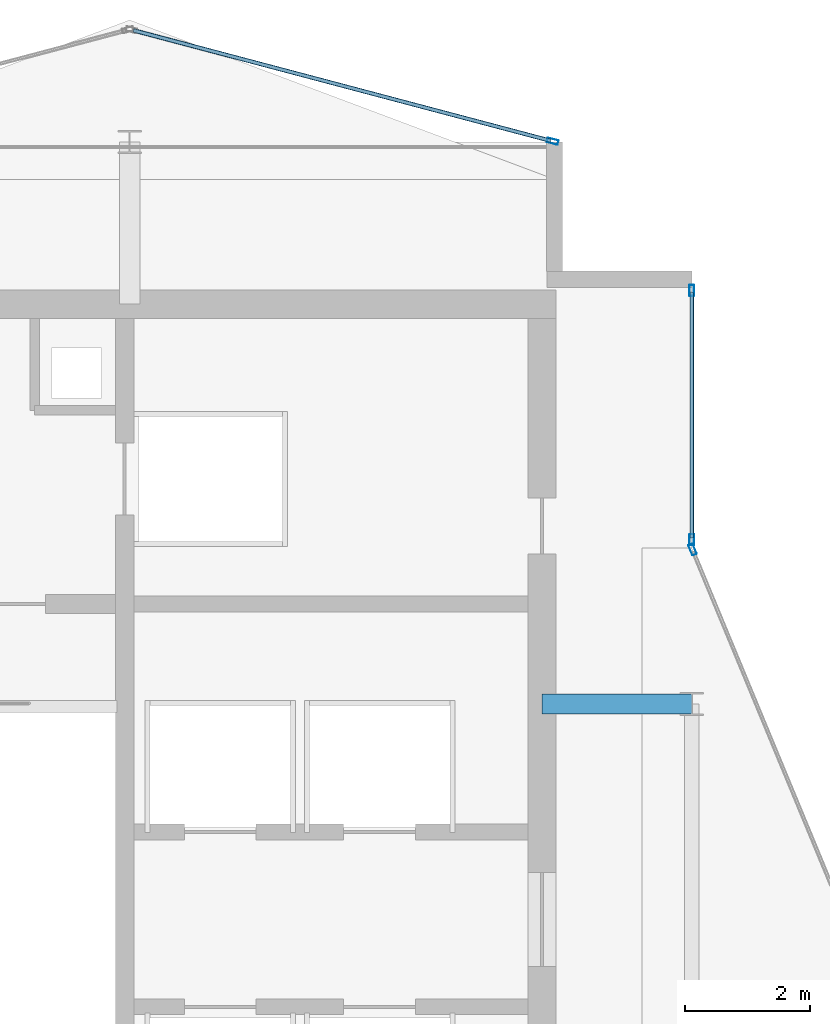
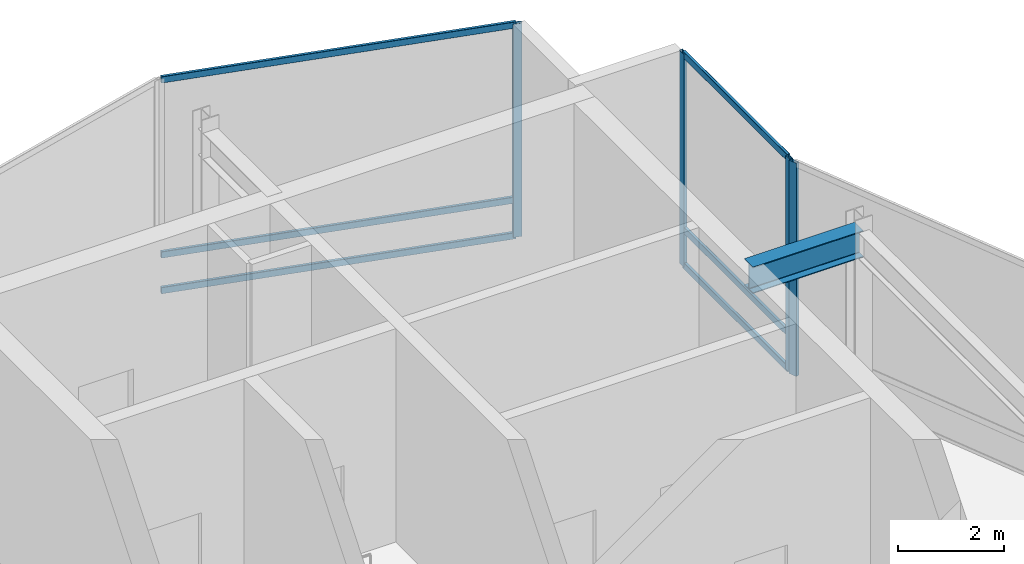
# One storey, part 14 of 19: 10 members, 1 beam, 3 elements without a shape of their own.
"""IFC4 building model written with IfcOpenShell, lengths in metres."""

from ifc_helpers import new_model, si_unit, direction, frame, origin, origin_2d, place, context, subcontext, project, spatial, hollow_rectangle, i_section, extrude, material, layer, layer_set, material_profile, profile_set, type_object, element, aggregate, save


model = new_model("IFC4")

# Units and contexts
model_context = context("Model", 3, precision=1e-05, world=origin(), true_north=direction((0.0, 1.0)))
body_context = subcontext(model_context, "Body", "Model", "MODEL_VIEW")
ifc_project = project(units=[si_unit("LENGTHUNIT", "METRE"), si_unit("AREAUNIT", "SQUARE_METRE"), si_unit("VOLUMEUNIT", "CUBIC_METRE"), si_unit("PLANEANGLEUNIT", "RADIAN"), si_unit("MASSUNIT", "GRAM", prefix="KILO")], contexts=[model_context])

# Site, building, storey
site_placement = place(None, origin())
site = spatial("IfcSite", under=ifc_project, at=site_placement, CompositionType="ELEMENT")
building_placement = place(site_placement, origin())
building = spatial("IfcBuilding", under=site, at=building_placement, Name="Solvaryn Broadcast Tower", CompositionType="ELEMENT")
storey_placement = place(building_placement, frame((0.0, 0.0, 302.60009765625)))
storey = spatial("IfcBuildingStorey", under=building, at=storey_placement, Name="L76", CompositionType="ELEMENT", Elevation=302.60009765625)

# Beam
ifc_material_1 = material(Name="Steel ASTM A992 Grade 50", Category="steel")
ifc_material_profile_1 = material_profile(ifc_material_1, i_section(OverallWidth=0.323974609375, OverallDepth=0.611083984375, WebThickness=0.0126953125, FlangeThickness=0.01904296875, FilletRadius=0.014892578125, at=origin_2d()))
ifc_profile_set_1 = profile_set([ifc_material_profile_1], Name="Steel ASTM A992 Grade 50")
beam_type = type_object("IfcBeamType", Name="BM-B1-W24X104", PredefinedType="BEAM", material=ifc_profile_set_1)
beam_placement = place(storey_placement, frame((24.60009765625, 36.0, 4.594482421875), z_axis=(1.0, 0.0, 0.0), x_axis=(0.0, 1.0, 0.0)))
element("IfcBeam", 1, at=beam_placement, inside=storey, type_object=beam_type, Name="L76 Core Tie Beam CTW2", PredefinedType="BEAM", context=body_context, shape_type="SweptSolid", body=[
    extrude(i_section(OverallWidth=0.323974609375, OverallDepth=0.611083984375, WebThickness=0.0126953125, FlangeThickness=0.01904296875, FilletRadius=0.014892578125, at=origin_2d()), origin(), (0.0, 0.0, 1.0), 2.39990234375),
])

# Curtain wall, members
ifc_material_2 = material(Name="Aluminium and Terracotta Unitised Curtain Wall", Category="masonry")
ifc_layer = layer(ifc_material_2, 0.260009765625)
ifc_layer_set = layer_set([ifc_layer], Name="CW-SYS5-DAMPER")
curtain_wall_type = type_object("IfcCurtainWallType", Name="CW-SYS5-DAMPER", PredefinedType="NOTDEFINED", material=ifc_layer_set)
curtain_wall_1_placement = place(storey_placement, origin())
curtain_wall_1 = element("IfcCurtainWall", 2, at=curtain_wall_1_placement, inside=storey, type_object=curtain_wall_type, Name="L76 Curtain Wall IV", PredefinedType="NOTDEFINED")
ifc_material_3 = material(Name="Anodised Aluminium 6063-T6", Category="aluminium")
ifc_material_profile_2 = material_profile(ifc_material_3, hollow_rectangle(XDim=0.074951171875, YDim=0.179931640625, WallThickness=0.00390625, InnerFilletRadius=0.00390625, OuterFilletRadius=0.008056640625, at=origin_2d()))
ifc_profile_set_2 = profile_set([ifc_material_profile_2], Name="Anodised Aluminium 6063-T6")
member_type_1 = type_object("IfcMemberType", Name="CW-MUL-180", PredefinedType="MULLION", material=ifc_profile_set_2)
member_1_placement = place(storey_placement, frame((27.0, 42.6201171875, 0.0), z_axis=(0.0, 0.0, 1.0), x_axis=(1.0, 0.0, 0.0)))
member_1 = element("IfcMember", 3, at=member_1_placement, type_object=member_type_1, Name="CWS5 mullion 1", PredefinedType="MULLION", context=body_context, shape_type="SweptSolid", body=[
    extrude(hollow_rectangle(XDim=0.074951171875, YDim=0.179931640625, WallThickness=0.00390625, InnerFilletRadius=0.00390625, OuterFilletRadius=0.008056640625, at=origin_2d()), origin(), (0.0, 0.0, 1.0), 4.89990234375),
])
member_2_placement = place(storey_placement, frame((27.0, 38.6298828125, 0.0), z_axis=(0.0, 0.0, 1.0), x_axis=(1.0, 0.0, 0.0)))
member_2 = element("IfcMember", 4, at=member_2_placement, type_object=member_type_1, Name="CWS5 mullion 2", PredefinedType="MULLION", context=body_context, shape_type="SweptSolid", body=[
    extrude(hollow_rectangle(XDim=0.074951171875, YDim=0.179931640625, WallThickness=0.00390625, InnerFilletRadius=0.00390625, OuterFilletRadius=0.008056640625, at=origin_2d()), origin(), (0.0, 0.0, 1.0), 4.89990234375),
])

# Curtain wall, member
curtain_wall_2_placement = place(storey_placement, origin())
curtain_wall_2 = element("IfcCurtainWall", 5, at=curtain_wall_2_placement, inside=storey, type_object=curtain_wall_type, Name="L76 Curtain Wall CN2", PredefinedType="NOTDEFINED")
member_3_placement = place(storey_placement, frame((27.011474609375, 38.47216796875, 0.0), z_axis=(0.0, 0.0, 1.0), x_axis=(-0.923894983957, -0.382646127145, 0.0)))
member_3 = element("IfcMember", 6, at=member_3_placement, type_object=member_type_1, Name="CWS5 mullion 2", PredefinedType="MULLION", context=body_context, shape_type="SweptSolid", body=[
    extrude(hollow_rectangle(XDim=0.074951171875, YDim=0.179931640625, WallThickness=0.00390625, InnerFilletRadius=0.00390625, OuterFilletRadius=0.008056640625, at=origin_2d()), origin(), (0.0, 0.0, 1.0), 4.89990234375),
])
aggregate(curtain_wall_2, [member_3])

curtain_wall_3_placement = place(storey_placement, origin())
curtain_wall_3 = element("IfcCurtainWall", 7, at=curtain_wall_3_placement, inside=storey, type_object=curtain_wall_type, Name="L76 Curtain Wall NT1", PredefinedType="NOTDEFINED")
member_4_placement = place(storey_placement, frame((24.77099609375, 45.007568359375, 0.0), z_axis=(0.0, 0.0, 1.0), x_axis=(-0.25589256031, -0.966705227863, 0.0)))
member_4 = element("IfcMember", 8, at=member_4_placement, type_object=member_type_1, Name="CWS5 mullion 1", PredefinedType="MULLION", context=body_context, shape_type="SweptSolid", body=[
    extrude(hollow_rectangle(XDim=0.074951171875, YDim=0.179931640625, WallThickness=0.00390625, InnerFilletRadius=0.00390625, OuterFilletRadius=0.008056640625, at=origin_2d()), origin(), (0.0, 0.0, 1.0), 4.89990234375),
])

# Member
ifc_material_4 = material(Name="Anodised Aluminium 6063-T6", Category="aluminium")
ifc_material_profile_3 = material_profile(ifc_material_4, hollow_rectangle(XDim=0.06494140625, YDim=0.14990234375, WallThickness=0.00390625, InnerFilletRadius=0.00390625, OuterFilletRadius=0.008056640625, at=origin_2d()))
ifc_profile_set_3 = profile_set([ifc_material_profile_3], Name="Anodised Aluminium 6063-T6")
member_type_2 = type_object("IfcMemberType", Name="CW-TRN-150", PredefinedType="USERDEFINED", material=ifc_profile_set_3)
member_5_placement = place(storey_placement, frame((27.0, 42.590087890625, 0.02978515625), z_axis=(0.0, -1.0, 0.0), x_axis=(1.0, 0.0, 0.0)))
member_5 = element("IfcMember", 9, at=member_5_placement, type_object=member_type_2, Name="CWS5 transom 1.1", ObjectType="TRANSOM", PredefinedType="USERDEFINED", context=body_context, shape_type="SweptSolid", body=[
    extrude(hollow_rectangle(XDim=0.06494140625, YDim=0.14990234375, WallThickness=0.00390625, InnerFilletRadius=0.00390625, OuterFilletRadius=0.008056640625, at=origin_2d()), origin(), (0.0, 0.0, 1.0), 3.93017578125),
])

member_6_placement = place(storey_placement, frame((27.0, 42.590087890625, 0.849853515625), z_axis=(0.0, -1.0, 0.0), x_axis=(1.0, 0.0, 0.0)))
member_6 = element("IfcMember", 10, at=member_6_placement, type_object=member_type_2, Name="CWS5 transom 1.2", ObjectType="TRANSOM", PredefinedType="USERDEFINED", context=body_context, shape_type="SweptSolid", body=[
    extrude(hollow_rectangle(XDim=0.06494140625, YDim=0.14990234375, WallThickness=0.00390625, InnerFilletRadius=0.00390625, OuterFilletRadius=0.008056640625, at=origin_2d()), origin(), (0.0, 0.0, 1.0), 3.93017578125),
])

member_7_placement = place(storey_placement, frame((27.0, 42.590087890625, 4.869873046875), z_axis=(0.0, -1.0, 0.0), x_axis=(1.0, 0.0, 0.0)))
member_7 = element("IfcMember", 11, at=member_7_placement, type_object=member_type_2, Name="CWS5 transom 1.3", ObjectType="TRANSOM", PredefinedType="USERDEFINED", context=body_context, shape_type="SweptSolid", body=[
    extrude(hollow_rectangle(XDim=0.06494140625, YDim=0.14990234375, WallThickness=0.00390625, InnerFilletRadius=0.00390625, OuterFilletRadius=0.008056640625, at=origin_2d()), origin(), (0.0, 0.0, 1.0), 3.93017578125),
])

aggregate(curtain_wall_1, [member_1, member_2, member_5, member_6, member_7])

member_8_placement = place(storey_placement, frame((24.741943359375, 45.015380859375, 0.02978515625), z_axis=(-0.966703943301, 0.255897413051, 0.0), x_axis=(-0.255897413051, -0.966703943301, 0.0)))
member_8 = element("IfcMember", 12, at=member_8_placement, type_object=member_type_2, Name="CWS5 transom 1.1", ObjectType="TRANSOM", PredefinedType="USERDEFINED", context=body_context, shape_type="SweptSolid", body=[
    extrude(hollow_rectangle(XDim=0.06494140625, YDim=0.14990234375, WallThickness=0.00390625, InnerFilletRadius=0.00390625, OuterFilletRadius=0.008056640625, at=origin_2d()), origin(), (0.0, 0.0, 1.0), 6.9140625),
])

member_9_placement = place(storey_placement, frame((24.741943359375, 45.015380859375, 0.849853515625), z_axis=(-0.966703943301, 0.255897413051, 0.0), x_axis=(-0.255897413051, -0.966703943301, 0.0)))
member_9 = element("IfcMember", 13, at=member_9_placement, type_object=member_type_2, Name="CWS5 transom 1.2", ObjectType="TRANSOM", PredefinedType="USERDEFINED", context=body_context, shape_type="SweptSolid", body=[
    extrude(hollow_rectangle(XDim=0.06494140625, YDim=0.14990234375, WallThickness=0.00390625, InnerFilletRadius=0.00390625, OuterFilletRadius=0.008056640625, at=origin_2d()), origin(), (0.0, 0.0, 1.0), 6.9140625),
])

member_10_placement = place(storey_placement, frame((24.741943359375, 45.015380859375, 4.869873046875), z_axis=(-0.966703943301, 0.255897413051, 0.0), x_axis=(-0.255897413051, -0.966703943301, 0.0)))
member_10 = element("IfcMember", 14, at=member_10_placement, type_object=member_type_2, Name="CWS5 transom 1.3", ObjectType="TRANSOM", PredefinedType="USERDEFINED", context=body_context, shape_type="SweptSolid", body=[
    extrude(hollow_rectangle(XDim=0.06494140625, YDim=0.14990234375, WallThickness=0.00390625, InnerFilletRadius=0.00390625, OuterFilletRadius=0.008056640625, at=origin_2d()), origin(), (0.0, 0.0, 1.0), 6.9140625),
])

aggregate(curtain_wall_3, [member_4, member_8, member_9, member_10])

save(model, "model.ifc")
